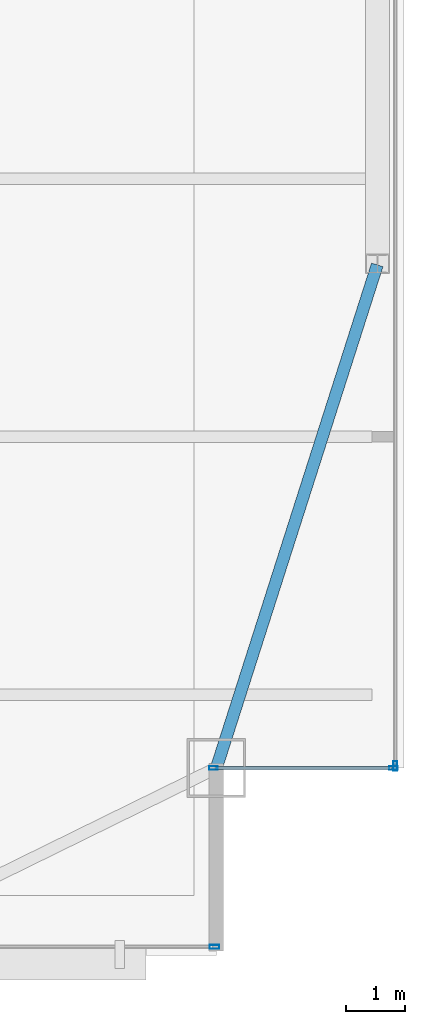
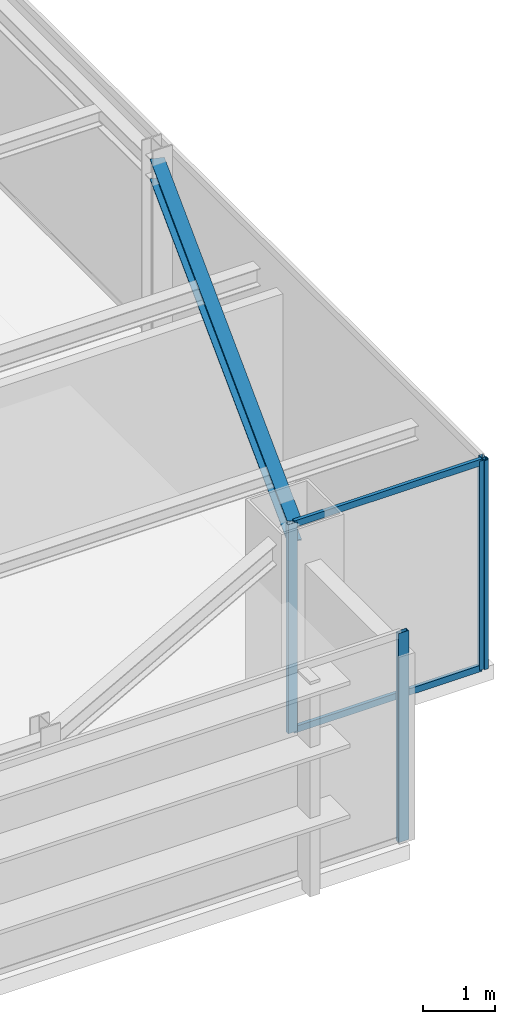
# One storey, part 14 of 24: 6 members, 1 beam, 3 elements without a shape of their own.
"""IFC4 building model written with IfcOpenShell, lengths in metres."""

import ifcopenshell
import ifcopenshell.guid

model = None  # the IFC model being written
_history = None  # IfcOwnerHistory: only IFC2X3 demands one
_inside = {}  # id of a spatial element -> (the spatial element, [elements in it])
_under = {}  # id of a project, library or spatial element -> (it, [spatial elements below it])
_declared = {}  # id of a project -> (the project, [libraries it declares])
_typed = {}  # id of a type object -> (the type object, [elements of that type])
_made_of = {}  # id of a material, layer set ... -> (it, [elements and type objects made of it])


def new_model(schema):
    """Start an empty IFC model of exactly this schema.

    Asked for "IFC4X3", IfcOpenShell would pick the latest addendum, in which some entities
    have other attributes; the version numbers below select the first issue.
    IFC2X3 requires an IfcOwnerHistory on every rooted entity: one is made here for all.
    """
    global model, _history
    if schema == "IFC4X3":
        model = ifcopenshell.file(schema_version=(4, 3, 0, 0))
    else:
        model = ifcopenshell.file(schema=schema)
    _inside.clear()
    _under.clear()
    _declared.clear()
    _typed.clear()
    _made_of.clear()
    _history = None
    if model.schema == "IFC2X3":
        org = make("IfcOrganization", Name="unknown")
        user = make(
            "IfcPersonAndOrganization",
            ThePerson=make("IfcPerson", FamilyName="unknown"),
            TheOrganization=org,
        )
        app = make(
            "IfcApplication",
            ApplicationDeveloper=org,
            Version="unknown",
            ApplicationFullName="unknown",
            ApplicationIdentifier="unknown",
        )
        _history = make(
            "IfcOwnerHistory",
            OwningUser=user,
            OwningApplication=app,
            ChangeAction="ADDED",
            CreationDate=0,
        )
    return model


def make(cls, **values):
    """One entity of the class cls with the attributes given. An attribute that is None is left unset."""
    return model.create_entity(
        cls, **{name: value for name, value in values.items() if value is not None}
    )


def rooted(cls, **values):
    """An entity with a GlobalId (a new one), such as an element, a storey or a relation."""
    return make(cls, GlobalId=ifcopenshell.guid.new(), OwnerHistory=_history, **values)


def si_unit(unit_type, name, prefix=None):
    """IfcSIUnit, for example si_unit("LENGTHUNIT", "METRE", prefix="MILLI")."""
    return make("IfcSIUnit", UnitType=unit_type, Prefix=prefix, Name=name)


def assignment(units):
    """IfcUnitAssignment: the units of a project."""
    return None if units is None else make("IfcUnitAssignment", Units=units)


def point(xyz):
    """IfcCartesianPoint."""
    return None if xyz is None else make("IfcCartesianPoint", Coordinates=xyz)


def direction(xyz):
    """IfcDirection."""
    return None if xyz is None else make("IfcDirection", DirectionRatios=xyz)


def frame(location, z_axis=None, x_axis=None):
    """IfcAxis2Placement3D, a coordinate frame: its origin and axes. An axis left out is left unset."""
    return make(
        "IfcAxis2Placement3D",
        Location=point(location),
        Axis=direction(z_axis),
        RefDirection=direction(x_axis),
    )


def frame_2d(location, x_axis=None):
    """IfcAxis2Placement2D, a coordinate frame in the plane: its origin and x axis."""
    return make(
        "IfcAxis2Placement2D", Location=point(location), RefDirection=direction(x_axis)
    )


def origin():
    """The frame at (0, 0, 0) with its axes left unset."""
    return frame((0.0, 0.0, 0.0))


def origin_2d():
    """The frame at (0, 0) in the plane with its x axis left unset."""
    return frame_2d((0.0, 0.0))


def place(relative_to, where):
    """IfcLocalPlacement: puts the frame where relative to a parent placement (None: the world)."""
    return make(
        "IfcLocalPlacement", PlacementRelTo=relative_to, RelativePlacement=where
    )


def context(
    kind, dimensions, precision=None, world=None, true_north=None, identifier=None
):
    """IfcGeometricRepresentationContext, for example the 3D "Model" context."""
    return make(
        "IfcGeometricRepresentationContext",
        ContextIdentifier=identifier,
        ContextType=kind,
        CoordinateSpaceDimension=dimensions,
        Precision=precision,
        WorldCoordinateSystem=world,
        TrueNorth=true_north,
    )


def subcontext(parent, identifier, kind, view, scale=None):
    """IfcGeometricRepresentationSubContext, for example "Body" below "Model"."""
    return make(
        "IfcGeometricRepresentationSubContext",
        ContextIdentifier=identifier,
        ContextType=kind,
        ParentContext=parent,
        TargetScale=scale,
        TargetView=view,
    )


def project(units=None, contexts=None):
    """IfcProject with its units and contexts."""
    return rooted(
        "IfcProject",
        Name="project",
        RepresentationContexts=contexts,
        UnitsInContext=assignment(units),
    )


def spatial(cls, under=None, at=None, **own):
    """A site, building, storey or space (cls), placed at a placement, below another one or the project."""
    s = rooted(cls, ObjectPlacement=at, **own)
    if under is not None:
        _under.setdefault(under.id(), (under, []))[1].append(s)
    return s


def profile(cls, at=None, kind="AREA", **sizes):
    """A parametric profile (cls). Its sizes go by their IFC names, for example OverallWidth=200.0."""
    return make(cls, ProfileType=kind, Position=at, **sizes)


def hollow_rectangle(**sizes):
    """IfcRectangleHollowProfileDef."""
    return profile("IfcRectangleHollowProfileDef", **sizes)


def i_section(**sizes):
    """IfcIShapeProfileDef."""
    return profile("IfcIShapeProfileDef", **sizes)


def extrude(swept, where, along, depth):
    """IfcExtrudedAreaSolid: the profile swept, set in the frame where, extruded along a direction by depth."""
    return make(
        "IfcExtrudedAreaSolid",
        SweptArea=swept,
        Position=where,
        ExtrudedDirection=direction(along),
        Depth=depth,
    )


def shape(context_of_items, identifier, shape_type, items):
    """IfcShapeRepresentation: the items that make up one representation, for example the "Body"."""
    return make(
        "IfcShapeRepresentation",
        ContextOfItems=context_of_items,
        RepresentationIdentifier=identifier,
        RepresentationType=shape_type,
        Items=items,
    )


def source(mapping_origin, context_of_items, identifier, shape_type, items):
    """IfcRepresentationMap: a shape defined once, which mapped items show again and again."""
    return make(
        "IfcRepresentationMap",
        MappingOrigin=mapping_origin,
        MappedRepresentation=shape(context_of_items, identifier, shape_type, items),
    )


def transform(
    local_origin,
    x_axis=None,
    y_axis=None,
    z_axis=None,
    scale=None,
    scale2=None,
    scale3=None,
    uniform=True,
):
    """IfcCartesianTransformationOperator3D, or its non-uniform kind. x_axis, y_axis, z_axis: its Axis1, 2, 3."""
    if uniform:
        return make(
            "IfcCartesianTransformationOperator3D",
            Axis1=direction(x_axis),
            Axis2=direction(y_axis),
            LocalOrigin=point(local_origin),
            Scale=scale,
            Axis3=direction(z_axis),
        )
    return make(
        "IfcCartesianTransformationOperator3DnonUniform",
        Axis1=direction(x_axis),
        Axis2=direction(y_axis),
        LocalOrigin=point(local_origin),
        Scale=scale,
        Axis3=direction(z_axis),
        Scale2=scale2,
        Scale3=scale3,
    )


def mapped(mapping_source, mapping_target):
    """IfcMappedItem: shows the shape of a source again, moved by a transform."""
    return make(
        "IfcMappedItem", MappingSource=mapping_source, MappingTarget=mapping_target
    )


def material(Name=None, Category=None):
    """IfcMaterial."""
    return make("IfcMaterial", Name=Name, Category=Category)


def layer(
    of_material, thickness, ventilated=None, Name=None, Category=None, Priority=None
):
    """IfcMaterialLayer: one layer of a wall or slab, of a material (None: an air gap)."""
    return make(
        "IfcMaterialLayer",
        Material=of_material,
        LayerThickness=thickness,
        IsVentilated=ventilated,
        Name=Name,
        Category=Category,
        Priority=Priority,
    )


def layer_set(layers, Name=None):
    """IfcMaterialLayerSet."""
    return make("IfcMaterialLayerSet", MaterialLayers=layers, LayerSetName=Name)


def material_profile(
    of_material, cross_section, Name=None, Category=None, Priority=None
):
    """IfcMaterialProfile: a cross section and its material."""
    return make(
        "IfcMaterialProfile",
        Name=Name,
        Material=of_material,
        Profile=cross_section,
        Priority=Priority,
        Category=Category,
    )


def profile_set(profiles, Name=None, composite=None):
    """IfcMaterialProfileSet."""
    return make(
        "IfcMaterialProfileSet",
        Name=Name,
        MaterialProfiles=profiles,
        CompositeProfile=composite,
    )


def made_of(thing, what):
    """Note that an element or type object is made of a material, layer set ...; save() writes the relation."""
    if what is not None:
        _made_of.setdefault(what.id(), (what, []))[1].append(thing)
    return thing


def type_object(cls, material=None, **own):
    """A type object (cls), such as IfcWallType, which elements share."""
    return made_of(rooted(cls, **own), material)


def type_shapes(of_type, sources):
    """Give a type object the sources (RepresentationMaps) that its elements show as mapped items."""
    of_type.RepresentationMaps = sources


def element(
    cls,
    number,
    at=None,
    inside=None,
    cuts=None,
    type_object=None,
    material=None,
    context=None,
    identifier="Body",
    shape_type=None,
    held_by="IfcProductDefinitionShape",
    body=None,
    shapes=None,
    **own,
):
    """One element of the class cls, such as IfcWall. Its Tag is "e" and its number.

    at: its placement. inside: the storey or other place that contains it. cuts: it is an
    opening in that element (IfcRelVoidsElement). A single representation is given by context,
    identifier, shape_type and body (its items); several are given by shapes. held_by: the class
    of the entity that holds the representations. save() writes the other relations.
    """
    e = rooted(cls, Tag="e%d" % number, ObjectPlacement=at, **own)
    if body is not None:
        shapes = [shape(context, identifier, shape_type, body)]
    if shapes is not None:
        e.Representation = make(held_by, Representations=shapes)
    if inside is not None:
        _inside.setdefault(inside.id(), (inside, []))[1].append(e)
    if cuts is not None:
        rooted(
            "IfcRelVoidsElement", RelatingBuildingElement=cuts, RelatedOpeningElement=e
        )
    if type_object is not None:
        _typed.setdefault(type_object.id(), (type_object, []))[1].append(e)
    return made_of(e, material)


def aggregate(whole, parts):
    """IfcRelAggregates: a whole, such as a stair, and the parts it consists of."""
    return rooted("IfcRelAggregates", RelatingObject=whole, RelatedObjects=parts)


def save(model, path):
    """Write the relations noted so far, then the file.

    IfcRelAggregates (storeys below a building ...), IfcRelContainedInSpatialStructure (elements
    in a storey), IfcRelDefinesByType, IfcRelAssociatesMaterial and IfcRelDeclares: one each for
    every whole, place, type object, material and project.
    """
    for whole, parts in _under.values():
        aggregate(whole, parts)
    for where, things in _inside.values():
        rooted(
            "IfcRelContainedInSpatialStructure",
            RelatedElements=things,
            RelatingStructure=where,
        )
    for kind, things in _typed.values():
        rooted("IfcRelDefinesByType", RelatedObjects=things, RelatingType=kind)
    for what, things in _made_of.values():
        rooted("IfcRelAssociatesMaterial", RelatedObjects=things, RelatingMaterial=what)
    for by, libraries in _declared.values():
        rooted("IfcRelDeclares", RelatingContext=by, RelatedDefinitions=libraries)
    model.write(path)


model = new_model("IFC4")

# Units and contexts
model_context = context("Model", 3, precision=1e-05, world=origin(), true_north=direction((0.0, 1.0)))
body_context = subcontext(model_context, "Body", "Model", "MODEL_VIEW")
ifc_project = project(units=[si_unit("LENGTHUNIT", "METRE"), si_unit("AREAUNIT", "SQUARE_METRE"), si_unit("VOLUMEUNIT", "CUBIC_METRE"), si_unit("PLANEANGLEUNIT", "RADIAN"), si_unit("MASSUNIT", "GRAM", prefix="KILO")], contexts=[model_context])

# Site, building, storey
site_placement = place(None, origin())
site = spatial("IfcSite", under=ifc_project, at=site_placement, CompositionType="ELEMENT")
building_placement = place(site_placement, origin())
building = spatial("IfcBuilding", under=site, at=building_placement, Name="Varnel Quay Broadcast Tower", CompositionType="ELEMENT")
storey_placement = place(building_placement, frame((0.0, 0.0, 262.199951171875)))
storey = spatial("IfcBuildingStorey", under=building, at=storey_placement, Name="L65", CompositionType="ELEMENT", Elevation=262.199951171875)

# Beam
ifc_material_1 = material(Name="Structural Steel CSA G40.21 350W", Category="steel")
ifc_material_profile_1 = material_profile(ifc_material_1, i_section(OverallWidth=0.205078125, OverallDepth=0.35400390625, WebThickness=0.009521484375, FlangeThickness=0.016845703125, FilletRadius=0.012939453125, at=origin_2d()), Name="W360X79")
ifc_profile_set_1 = profile_set([ifc_material_profile_1], Name="Structural Steel CSA G40.21 350W")
beam_type = type_object("IfcBeamType", Name="Beam_W360X79", PredefinedType="SPANDREL", material=ifc_profile_set_1)
shared_shape_1 = source(origin(), body_context, "Body", "SweptSolid", [
    extrude(i_section(OverallWidth=0.205078125, OverallDepth=0.35400390625, WebThickness=0.009521484375, FlangeThickness=0.016845703125, FilletRadius=0.012939453125, at=origin_2d()), origin(), (0.0, 0.0, 1.0), 8.989013671875),
])
type_shapes(beam_type, [shared_shape_1])
beam_placement = place(storey_placement, frame((52.80615234375, 16.4189453125, 3.373046875), z_axis=(0.304568770162, 0.952490348635, 0.0), x_axis=(-0.952490348635, 0.304568770162, 0.0)))
element("IfcBeam", 1, at=beam_placement, inside=storey, type_object=beam_type, Name="L65 East Spandrel MC-SE-TC-E1", PredefinedType="SPANDREL", context=body_context, shape_type="MappedRepresentation", body=[
    mapped(shared_shape_1, transform((0.0, 0.0, 0.0), x_axis=(1.0, 0.0, 0.0), y_axis=(0.0, 1.0, 0.0), z_axis=(0.0, 0.0, 1.0), scale=1.0)),
])

# Curtain wall, members
ifc_material_2 = material(Name="Anodised Bronze Aluminium 6063-T6", Category="aluminium")
ifc_layer_1 = layer(ifc_material_2, 0.18994140625, Name="Anodised Bronze Aluminium 6063-T6")
ifc_layer_set_1 = layer_set([ifc_layer_1], Name="Anodised Bronze Aluminium 6063-T6")
curtain_wall_type_1 = type_object("IfcCurtainWallType", Name="CW_NotchCorner", PredefinedType="NOTDEFINED", material=ifc_layer_set_1)
curtain_wall_1_placement = place(storey_placement, origin())
curtain_wall_1 = element("IfcCurtainWall", 2, at=curtain_wall_1_placement, inside=storey, type_object=curtain_wall_type_1, Name="L65 SE Notch Curtain Wall", PredefinedType="NOTDEFINED")
ifc_material_profile_2 = material_profile(ifc_material_2, hollow_rectangle(XDim=0.06005859375, YDim=0.14501953125, WallThickness=0.00341796875, at=origin_2d()), Name="ALU60X145X3.5")
ifc_profile_set_2 = profile_set([ifc_material_profile_2], Name="Anodised Bronze Aluminium 6063-T6")
member_type_1 = type_object("IfcMemberType", Name="Mull_CWS-04", PredefinedType="MULLION", material=ifc_profile_set_2)
shared_shape_2 = source(origin(), body_context, "Body", "SweptSolid", [
    extrude(hollow_rectangle(XDim=0.06005859375, YDim=0.14501953125, WallThickness=0.00341796875, at=origin_2d()), origin(), (0.0, 0.0, 1.0), 3.550048828125),
])
type_shapes(member_type_1, [shared_shape_2])
member_1_placement = place(storey_placement, frame((52.75, 16.39990234375, 0.0), z_axis=(0.0, 0.0, 1.0), x_axis=(0.0, 1.0, 0.0)))
member_1 = element("IfcMember", 3, at=member_1_placement, type_object=member_type_1, Name="CWS-04 mullion 1", PredefinedType="MULLION", context=body_context, shape_type="MappedRepresentation", body=[
    mapped(shared_shape_2, transform((0.0, 0.0, 0.0), x_axis=(1.0, 0.0, 0.0), y_axis=(0.0, 1.0, 0.0), z_axis=(0.0, 0.0, 1.0), scale=1.0)),
])
member_2_placement = place(storey_placement, frame((55.820068359375, 16.39990234375, 0.0), z_axis=(0.0, 0.0, 1.0), x_axis=(0.0, 1.0, 0.0)))
member_2 = element("IfcMember", 4, at=member_2_placement, type_object=member_type_1, Name="CWS-04 mullion 2", PredefinedType="MULLION", context=body_context, shape_type="MappedRepresentation", body=[
    mapped(shared_shape_2, transform((0.0, 0.0, 0.0), x_axis=(1.0, 0.0, 0.0), y_axis=(0.0, 1.0, 0.0), z_axis=(0.0, 0.0, 1.0), scale=1.0)),
])

# Curtain wall, member
ifc_layer_2 = layer(ifc_material_2, 0.18994140625, Name="Anodised Bronze Aluminium 6063-T6")
ifc_layer_set_2 = layer_set([ifc_layer_2], Name="Anodised Bronze Aluminium 6063-T6")
curtain_wall_type_2 = type_object("IfcCurtainWallType", Name="CW_UpperTower", PredefinedType="NOTDEFINED", material=ifc_layer_set_2)
curtain_wall_2_placement = place(storey_placement, origin())
curtain_wall_2 = element("IfcCurtainWall", 5, at=curtain_wall_2_placement, inside=storey, type_object=curtain_wall_type_2, Name="L65 South Unitised Curtain Wall 1", PredefinedType="NOTDEFINED")
ifc_material_profile_3 = material_profile(ifc_material_2, hollow_rectangle(XDim=0.06494140625, YDim=0.1650390625, WallThickness=0.00341796875, at=origin_2d()), Name="ALU65X165X3.5")
ifc_profile_set_3 = profile_set([ifc_material_profile_3], Name="Anodised Bronze Aluminium 6063-T6")
member_type_2 = type_object("IfcMemberType", Name="Mull_CWS-03", PredefinedType="MULLION", material=ifc_profile_set_3)
shared_shape_3 = source(origin(), body_context, "Body", "SweptSolid", [
    extrude(hollow_rectangle(XDim=0.06494140625, YDim=0.1650390625, WallThickness=0.00341796875, at=origin_2d()), origin(), (0.0, 0.0, 1.0), 3.550048828125),
])
type_shapes(member_type_2, [shared_shape_3])
member_3_placement = place(storey_placement, frame((52.767578125, 13.35009765625, 0.0), z_axis=(0.0, 0.0, 1.0), x_axis=(0.0, 1.0, 0.0)))
member_3 = element("IfcMember", 6, at=member_3_placement, type_object=member_type_2, Name="CWS-03 mullion 4", PredefinedType="MULLION", context=body_context, shape_type="MappedRepresentation", body=[
    mapped(shared_shape_3, transform((0.0, 0.0, 0.0), x_axis=(1.0, 0.0, 0.0), y_axis=(0.0, 1.0, 0.0), z_axis=(0.0, 0.0, 1.0), scale=1.0)),
])
aggregate(curtain_wall_2, [member_3])

curtain_wall_3_placement = place(storey_placement, origin())
curtain_wall_3 = element("IfcCurtainWall", 7, at=curtain_wall_3_placement, inside=storey, type_object=curtain_wall_type_2, Name="L65 East Unitised Curtain Wall", PredefinedType="NOTDEFINED")
member_4_placement = place(storey_placement, frame((55.85009765625, 16.4326171875, 0.0), z_axis=(0.0, 0.0, 1.0), x_axis=(-1.0, 0.0, 0.0)))
member_4 = element("IfcMember", 8, at=member_4_placement, type_object=member_type_2, Name="CWS-03 mullion 1", PredefinedType="MULLION", context=body_context, shape_type="MappedRepresentation", body=[
    mapped(shared_shape_3, transform((0.0, 0.0, 0.0), x_axis=(1.0, 0.0, 0.0), y_axis=(0.0, 1.0, 0.0), z_axis=(0.0, 0.0, 1.0), scale=1.0)),
])
aggregate(curtain_wall_3, [member_4])

# Member
ifc_material_profile_4 = material_profile(ifc_material_2, hollow_rectangle(XDim=0.054931640625, YDim=0.110107421875, WallThickness=0.0029296875, at=origin_2d()), Name="ALU55X110X3")
ifc_profile_set_4 = profile_set([ifc_material_profile_4], Name="Anodised Bronze Aluminium 6063-T6")
member_type_3 = type_object("IfcMemberType", Name="Tran_CWS-04", PredefinedType="USERDEFINED", material=ifc_profile_set_4)
shared_shape_4 = source(origin(), body_context, "Body", "SweptSolid", [
    extrude(hollow_rectangle(XDim=0.054931640625, YDim=0.110107421875, WallThickness=0.0029296875, at=origin_2d()), origin(), (0.0, 0.0, 1.0), 3.010009765625),
])
type_shapes(member_type_3, [shared_shape_4])
member_5_placement = place(storey_placement, frame((52.780029296875, 16.39990234375, 0.027587890625), z_axis=(1.0, 0.0, 0.0), x_axis=(0.0, 1.0, 0.0)))
member_5 = element("IfcMember", 9, at=member_5_placement, type_object=member_type_3, Name="CWS-04 transom 1.1", ObjectType="TRANSOM", PredefinedType="USERDEFINED", context=body_context, shape_type="MappedRepresentation", body=[
    mapped(shared_shape_4, transform((0.0, 0.0, 0.0), x_axis=(1.0, 0.0, 0.0), y_axis=(0.0, 1.0, 0.0), z_axis=(0.0, 0.0, 1.0), scale=1.0)),
])

member_6_placement = place(storey_placement, frame((52.780029296875, 16.39990234375, 3.5224609375), z_axis=(1.0, 0.0, 0.0), x_axis=(0.0, 1.0, 0.0)))
member_6 = element("IfcMember", 10, at=member_6_placement, type_object=member_type_3, Name="CWS-04 transom 1.2", ObjectType="TRANSOM", PredefinedType="USERDEFINED", context=body_context, shape_type="MappedRepresentation", body=[
    mapped(shared_shape_4, transform((0.0, 0.0, 0.0), x_axis=(1.0, 0.0, 0.0), y_axis=(0.0, 1.0, 0.0), z_axis=(0.0, 0.0, 1.0), scale=1.0)),
])

aggregate(curtain_wall_1, [member_1, member_2, member_5, member_6])

save(model, "model.ifc")
